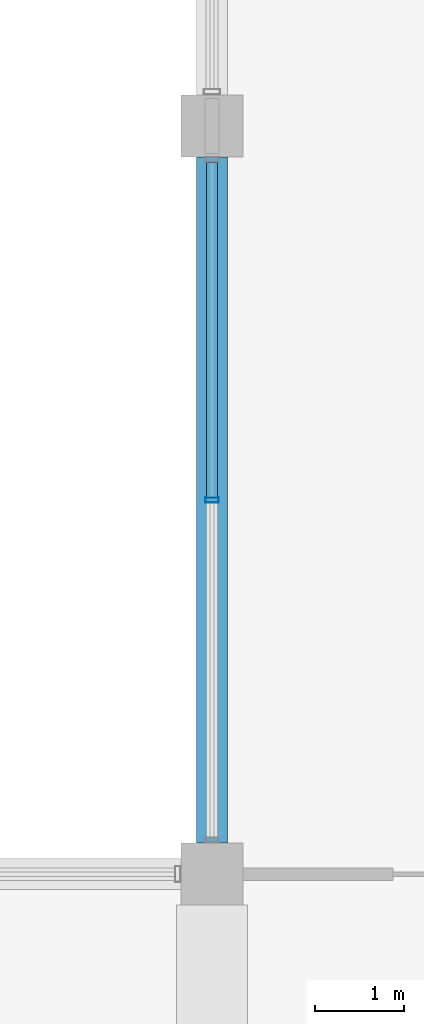
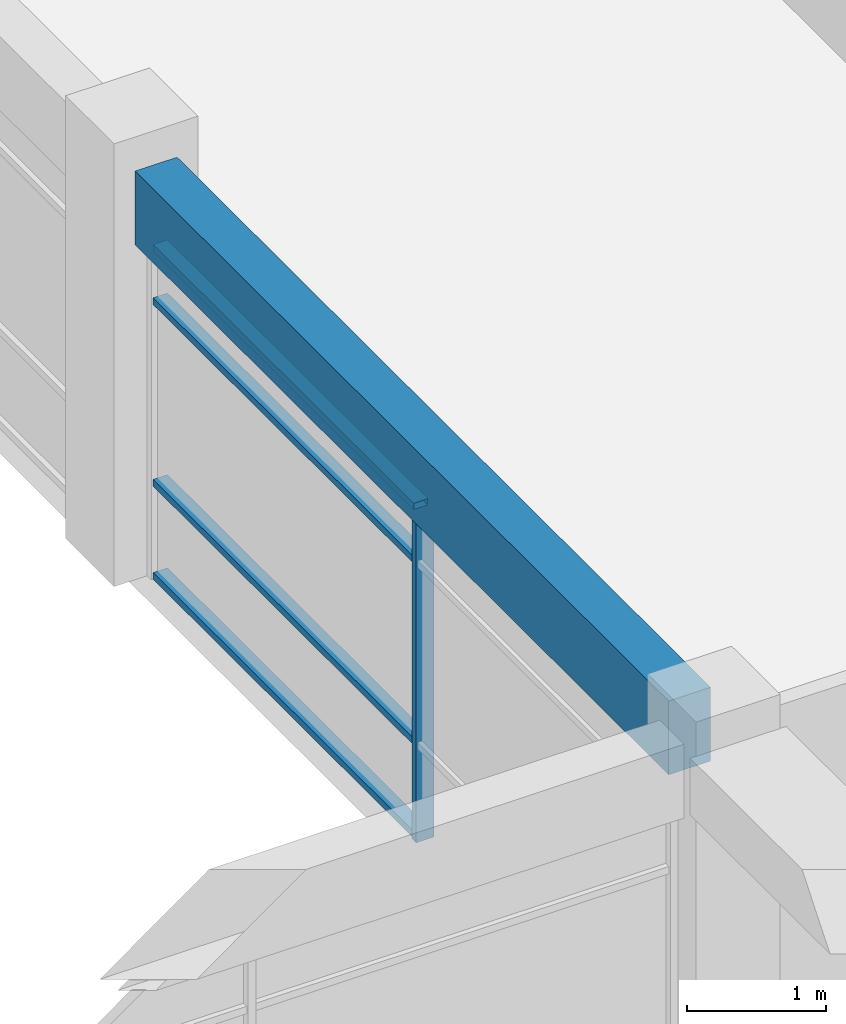
# One storey, part 27 of 72: 5 members, 1 beam, 1 element without a shape of its own.
"""IFC4 building model written with IfcOpenShell, lengths in metres."""

from ifc_helpers import new_model, si_unit, direction, frame, origin, origin_2d, place, context, subcontext, project, spatial, rectangle, hollow_rectangle, extrude, material, material_profile, profile_set, type_object, element, aggregate, save


model = new_model("IFC4")

# Units and contexts
model_context = context("Model", 3, precision=1e-05, world=origin(), true_north=direction((0.0, 1.0)))
body_context = subcontext(model_context, "Body", "Model", "MODEL_VIEW")
ifc_project = project(units=[si_unit("LENGTHUNIT", "METRE"), si_unit("AREAUNIT", "SQUARE_METRE"), si_unit("VOLUMEUNIT", "CUBIC_METRE"), si_unit("PLANEANGLEUNIT", "RADIAN"), si_unit("MASSUNIT", "GRAM", prefix="KILO"), si_unit("THERMODYNAMICTEMPERATUREUNIT", "KELVIN"), si_unit("POWERUNIT", "WATT")], contexts=[model_context])

# Site, building, storey
site_placement = place(None, origin())
site = spatial("IfcSite", under=ifc_project, at=site_placement, CompositionType="ELEMENT")
building_placement = place(site_placement, origin())
building = spatial("IfcBuilding", under=site, at=building_placement, Name="Srebrne Nadtorze General Hospital", CompositionType="ELEMENT")
storey_placement = place(building_placement, frame((0.0, 0.0, 22.199951171875)))
storey = spatial("IfcBuildingStorey", under=building, at=storey_placement, Name="L05", CompositionType="ELEMENT", Elevation=22.199951171875)

# Curtain wall, members
ifc_material_1 = material(Name="Anodised Aluminium", Category="aluminium")
curtain_wall_type = type_object("IfcCurtainWallType", Name="Unitised curtain wall 7700x2950", PredefinedType="NOTDEFINED", material=ifc_material_1)
curtain_wall_placement = place(storey_placement, origin())
curtain_wall = element("IfcCurtainWall", 1, at=curtain_wall_placement, inside=storey, type_object=curtain_wall_type, Name="Curtain wall CW-136", PredefinedType="NOTDEFINED")
ifc_material_2 = material(Name="Anodised Aluminium", Category="aluminium")
ifc_material_profile_1 = material_profile(ifc_material_2, hollow_rectangle(XDim=0.06005859375, YDim=0.14990234375, WallThickness=0.00390625, at=origin_2d()), Name="AL-MUL-60x150")
ifc_profile_set_1 = profile_set([ifc_material_profile_1], Name="Anodised Aluminium")
member_type_1 = type_object("IfcMemberType", Name="Curtain mullion 60x150", PredefinedType="MULLION", material=ifc_profile_set_1)
member_1_placement = place(storey_placement, frame((132.60009765625, 12.60009765625, 0.0), z_axis=(0.0, 0.0, 1.0), x_axis=(0.0, 1.0, 0.0)))
member_1 = element("IfcMember", 2, at=member_1_placement, type_object=member_type_1, Name="CW-136 mullion 2", PredefinedType="MULLION", context=body_context, shape_type="SweptSolid", body=[
    extrude(hollow_rectangle(XDim=0.06005859375, YDim=0.14990234375, WallThickness=0.00390625, at=origin_2d()), origin(), (0.0, 0.0, 1.0), 2.949951171875),
])
ifc_material_3 = material(Name="Anodised Aluminium", Category="aluminium")
ifc_material_profile_2 = material_profile(ifc_material_3, hollow_rectangle(XDim=0.06005859375, YDim=0.1201171875, WallThickness=0.00390625, at=origin_2d()), Name="AL-TRN-60x120")
ifc_profile_set_2 = profile_set([ifc_material_profile_2], Name="Anodised Aluminium")
member_type_2 = type_object("IfcMemberType", Name="Curtain transom 60x120", PredefinedType="USERDEFINED", material=ifc_profile_set_2)
member_2_placement = place(storey_placement, frame((132.60009765625, 12.6298828125, 0.030029296875), z_axis=(0.0, 1.0, 0.0), x_axis=(0.0, 0.0, 1.0)))
member_2 = element("IfcMember", 3, at=member_2_placement, type_object=member_type_2, Name="CW-136 transom 2.1", ObjectType="TRANSOM", PredefinedType="USERDEFINED", context=body_context, shape_type="SweptSolid", body=[
    extrude(hollow_rectangle(XDim=0.06005859375, YDim=0.1201171875, WallThickness=0.00390625, at=origin_2d()), origin(), (0.0, 0.0, 1.0), 3.760009765625),
])
member_3_placement = place(storey_placement, frame((132.60009765625, 12.6298828125, 0.85009765625), z_axis=(0.0, 1.0, 0.0), x_axis=(0.0, 0.0, 1.0)))
member_3 = element("IfcMember", 4, at=member_3_placement, type_object=member_type_2, Name="CW-136 transom 2.2", ObjectType="TRANSOM", PredefinedType="USERDEFINED", context=body_context, shape_type="SweptSolid", body=[
    extrude(hollow_rectangle(XDim=0.06005859375, YDim=0.1201171875, WallThickness=0.00390625, at=origin_2d()), origin(), (0.0, 0.0, 1.0), 3.760009765625),
])
member_4_placement = place(storey_placement, frame((132.60009765625, 12.6298828125, 2.449951171875), z_axis=(0.0, 1.0, 0.0), x_axis=(0.0, 0.0, 1.0)))
member_4 = element("IfcMember", 5, at=member_4_placement, type_object=member_type_2, Name="CW-136 transom 2.3", ObjectType="TRANSOM", PredefinedType="USERDEFINED", context=body_context, shape_type="SweptSolid", body=[
    extrude(hollow_rectangle(XDim=0.06005859375, YDim=0.1201171875, WallThickness=0.00390625, at=origin_2d()), origin(), (0.0, 0.0, 1.0), 3.760009765625),
])
member_5_placement = place(storey_placement, frame((132.60009765625, 12.6298828125, 2.920166015625), z_axis=(0.0, 1.0, 0.0), x_axis=(0.0, 0.0, 1.0)))
member_5 = element("IfcMember", 6, at=member_5_placement, type_object=member_type_2, Name="CW-136 transom 2.4", ObjectType="TRANSOM", PredefinedType="USERDEFINED", context=body_context, shape_type="SweptSolid", body=[
    extrude(hollow_rectangle(XDim=0.06005859375, YDim=0.1201171875, WallThickness=0.00390625, at=origin_2d()), origin(), (0.0, 0.0, 1.0), 3.760009765625),
])
aggregate(curtain_wall, [member_1, member_2, member_3, member_4, member_5])

# Beam
ifc_material_4 = material(Name="Concrete C35/45", Category="concrete")
ifc_material_profile_3 = material_profile(ifc_material_4, rectangle(XDim=0.35009765625, YDim=0.64990234375, at=origin_2d()), Name="RC-BM-350x650")
ifc_profile_set_3 = profile_set([ifc_material_profile_3], Name="Concrete C35/45")
beam_type = type_object("IfcBeamType", Name="Edge beam RC 350x650", PredefinedType="BEAM", material=ifc_profile_set_3)
beam_placement = place(storey_placement, frame((132.60009765625, 8.75, 3.275146484375), z_axis=(0.0, 1.0, 0.0), x_axis=(-1.0, 0.0, 0.0)))
element("IfcBeam", 7, at=beam_placement, inside=storey, type_object=beam_type, Name="Beam BM-L05-Y-1115", PredefinedType="BEAM", context=body_context, shape_type="SweptSolid", body=[
    extrude(rectangle(XDim=0.35009765625, YDim=0.64990234375, at=origin_2d()), origin(), (0.0, 0.0, 1.0), 7.699951171875),
])

save(model, "model.ifc")
